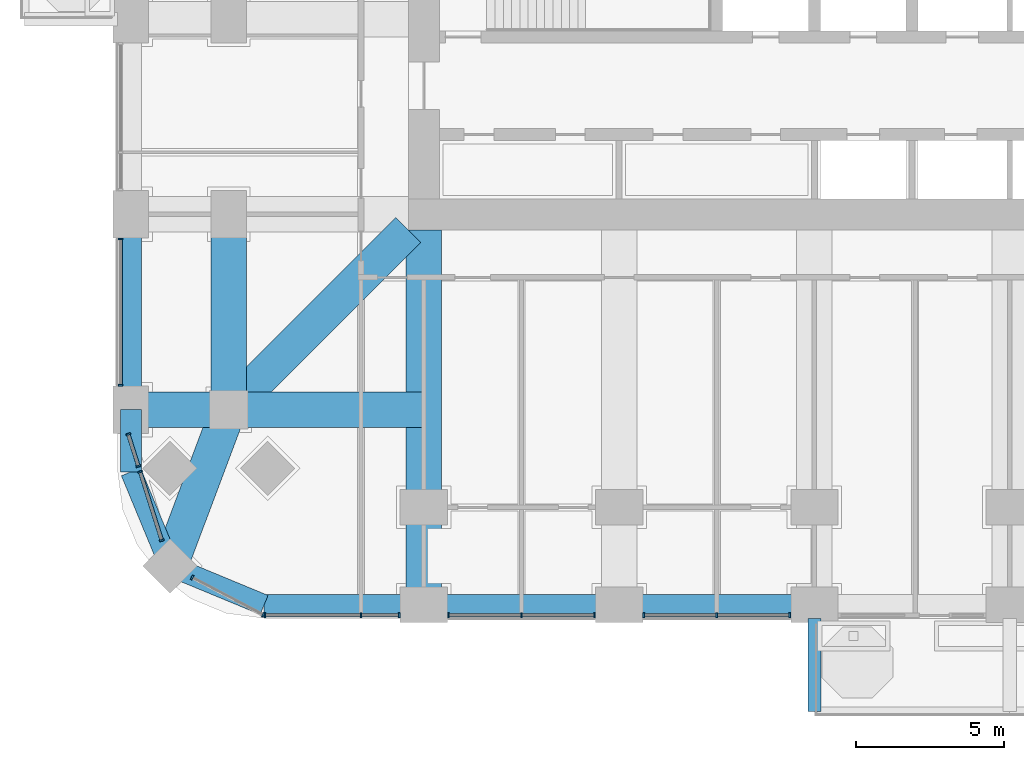
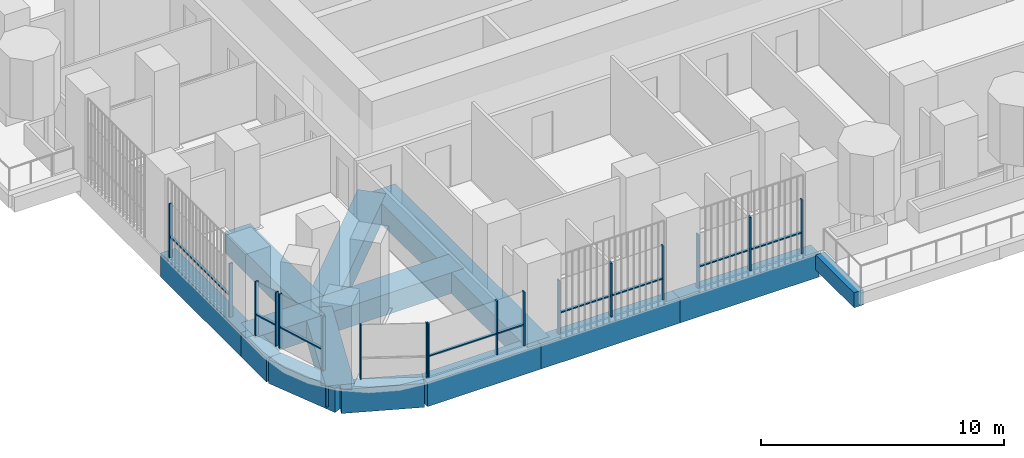
# One storey, part 2 of 22: 26 members, 14 beams, 7 elements without a shape of their own.
"""IFC4 building model written with IfcOpenShell, lengths in metres."""

from ifc_helpers import new_model, si_unit, direction, frame, origin, origin_2d, place, context, subcontext, project, spatial, rectangle, extrude, material, material_profile, profile_set, type_object, element, aggregate, save


model = new_model("IFC4")

# Units and contexts
model_context = context("Model", 3, precision=1e-05, world=origin(), true_north=direction((0.0, 1.0)))
body_context = subcontext(model_context, "Body", "Model", "MODEL_VIEW")
ifc_project = project(units=[si_unit("LENGTHUNIT", "METRE"), si_unit("AREAUNIT", "SQUARE_METRE"), si_unit("VOLUMEUNIT", "CUBIC_METRE"), si_unit("PLANEANGLEUNIT", "RADIAN"), si_unit("MASSUNIT", "GRAM", prefix="KILO")], contexts=[model_context])

# Site, building, storey
site_placement = place(None, origin())
site = spatial("IfcSite", under=ifc_project, at=site_placement, CompositionType="ELEMENT")
building_placement = place(site_placement, origin())
building = spatial("IfcBuilding", under=site, at=building_placement, Name="Cobogo Forest Laboratory Tower", CompositionType="ELEMENT")
storey_placement = place(building_placement, frame((0.0, 0.0, 94.800048828125)))
storey = spatial("IfcBuildingStorey", under=building, at=storey_placement, Name="L21", CompositionType="ELEMENT", Elevation=94.800048828125)

# Beams
ifc_material_1 = material(Name="Concrete HA-40 (C40/50)", Category="concrete")
ifc_material_profile_1 = material_profile(ifc_material_1, rectangle(XDim=0.449951171875, YDim=0.75, at=origin_2d()), Name="RC 450x750")
ifc_profile_set_1 = profile_set([ifc_material_profile_1], Name="Concrete HA-40 (C40/50)")
beam_type_1 = type_object("IfcBeamType", Name="Balcony cantilever beam 450x750", PredefinedType="BEAM", material=ifc_profile_set_1)
beam_1_placement = place(storey_placement, frame((26.39990234375, -0.449951171875, -0.625), z_axis=(0.0, -1.0, 0.0), x_axis=(1.0, 0.0, 0.0)))
element("IfcBeam", 1, at=beam_1_placement, inside=storey, type_object=beam_type_1, Name="CB1 BAL-S1-C1 L21", PredefinedType="BEAM", context=body_context, shape_type="SweptSolid", body=[
    extrude(rectangle(XDim=0.449951171875, YDim=0.75, at=origin_2d()), origin(), (0.0, 0.0, 1.0), 3.150146484375),
])
ifc_material_profile_2 = material_profile(ifc_material_1, rectangle(XDim=1.199951171875, YDim=1.050048828125, at=origin_2d()), Name="RC 1200x1050")
ifc_profile_set_2 = profile_set([ifc_material_profile_2], Name="Concrete HA-40 (C40/50)")
beam_type_2 = type_object("IfcBeamType", Name="Laboratory floor wide beam 1200x1050", PredefinedType="BEAM", material=ifc_profile_set_2)
beam_2_placement = place(storey_placement, frame((13.199951171875, 12.675048828125, -0.824951171875), z_axis=(0.0, -1.0, 0.0), x_axis=(1.0, 0.0, 0.0)))
element("IfcBeam", 2, at=beam_2_placement, inside=storey, type_object=beam_type_2, Name="RB1 R-3-S L21", PredefinedType="BEAM", context=body_context, shape_type="SweptSolid", body=[
    extrude(rectangle(XDim=1.199951171875, YDim=1.050048828125, at=origin_2d()), origin(), (0.0, 0.0, 1.0), 12.675048828125),
])
beam_3_placement = place(storey_placement, frame((6.60009765625, 6.60009765625, -0.824951171875), z_axis=(0.0, 1.0, 0.0), x_axis=(-1.0, 0.0, 0.0)))
element("IfcBeam", 3, at=beam_3_placement, inside=storey, type_object=beam_type_2, Name="RB1 G-SW-XC L21", PredefinedType="BEAM", context=body_context, shape_type="SweptSolid", body=[
    extrude(rectangle(XDim=1.199951171875, YDim=1.050048828125, at=origin_2d()), origin(), (0.0, 0.0, 1.0), 6.599853515625),
])
beam_4_placement = place(storey_placement, frame((3.300048828125, 6.60009765625, -0.824951171875), z_axis=(1.0, 0.0, 0.0), x_axis=(0.0, 1.0, 0.0)))
element("IfcBeam", 4, at=beam_4_placement, inside=storey, type_object=beam_type_2, Name="RB1 G-SW-YF L21", PredefinedType="BEAM", context=body_context, shape_type="SweptSolid", body=[
    extrude(rectangle(XDim=1.199951171875, YDim=1.050048828125, at=origin_2d()), origin(), (0.0, 0.0, 1.0), 3.300048828125),
])
beam_5_placement = place(storey_placement, frame((6.60009765625, 6.60009765625, -0.824951171875), z_axis=(1.0, 0.0, 0.0), x_axis=(0.0, 1.0, 0.0)))
element("IfcBeam", 5, at=beam_5_placement, inside=storey, type_object=beam_type_2, Name="RB1 G-SW-YC L21", PredefinedType="BEAM", context=body_context, shape_type="SweptSolid", body=[
    extrude(rectangle(XDim=1.199951171875, YDim=1.050048828125, at=origin_2d()), origin(), (0.0, 0.0, 1.0), 6.599853515625),
])
beam_6_placement = place(storey_placement, frame((4.617919921875, 1.318115234375, -0.824951171875), z_axis=(0.351346325373, 0.936245565889, 0.0), x_axis=(-0.936245565889, 0.351346325373, 0.0)))
element("IfcBeam", 6, at=beam_6_placement, inside=storey, type_object=beam_type_2, Name="RB1 G-SW-D1 L21", PredefinedType="BEAM", context=body_context, shape_type="SweptSolid", body=[
    extrude(rectangle(XDim=1.199951171875, YDim=1.050048828125, at=origin_2d()), origin(), (0.0, 0.0, 1.0), 5.6416015625),
])
beam_7_placement = place(storey_placement, frame((6.60009765625, 6.60009765625, -0.824951171875), z_axis=(0.707106781187, 0.707106781187, 0.0), x_axis=(-0.707106781187, 0.707106781187, 0.0)))
element("IfcBeam", 7, at=beam_7_placement, inside=storey, type_object=beam_type_2, Name="RB1 G-SW-D2 L21", PredefinedType="BEAM", context=body_context, shape_type="SweptSolid", body=[
    extrude(rectangle(XDim=1.199951171875, YDim=1.050048828125, at=origin_2d()), origin(), (0.0, 0.0, 1.0), 8.59130859375),
])

# Curtain wall, members
ifc_material_2 = material(Name="Aluminium curtain wall", Category="aluminium")
curtain_wall_type = type_object("IfcCurtainWallType", Name="CW-1 unitised curtain wall, clear glazing, laboratory floors zones A and B", PredefinedType="USERDEFINED", material=ifc_material_2)
curtain_wall_1_placement = place(storey_placement, origin())
curtain_wall_1 = element("IfcCurtainWall", 8, at=curtain_wall_1_placement, inside=storey, type_object=curtain_wall_type, Name="Curtain wall 01 L21", ObjectType="UNITISED CURTAIN WALL", PredefinedType="USERDEFINED")
ifc_material_3 = material(Name="Aluminium mullion", Category="aluminium")
ifc_material_profile_3 = material_profile(ifc_material_3, rectangle(XDim=0.06005859375, YDim=0.159912109375, at=origin_2d()), Name="AL 60x160")
ifc_profile_set_3 = profile_set([ifc_material_profile_3], Name="Aluminium mullion")
member_type_1 = type_object("IfcMemberType", Name="MU-1 aluminium mullion 60x160", PredefinedType="MULLION", material=ifc_profile_set_3)
member_1_placement = place(storey_placement, frame((7.830078125, -0.35009765625, 0.0), z_axis=(0.0, 0.0, 1.0), x_axis=(1.0, 0.0, 0.0)))
member_1 = element("IfcMember", 9, at=member_1_placement, type_object=member_type_1, Name="CW-1 mullion 1", PredefinedType="MULLION", context=body_context, shape_type="SweptSolid", body=[
    extrude(rectangle(XDim=0.06005859375, YDim=0.159912109375, at=origin_2d()), origin(), (0.0, 0.0, 1.0), 2.699951171875),
])
member_2_placement = place(storey_placement, frame((11.074951171875, -0.35009765625, 0.0), z_axis=(0.0, 0.0, 1.0), x_axis=(1.0, 0.0, 0.0)))
member_2 = element("IfcMember", 10, at=member_2_placement, type_object=member_type_1, Name="CW-1 mullion 2", PredefinedType="MULLION", context=body_context, shape_type="SweptSolid", body=[
    extrude(rectangle(XDim=0.06005859375, YDim=0.159912109375, at=origin_2d()), origin(), (0.0, 0.0, 1.0), 2.699951171875),
])
member_3_placement = place(storey_placement, frame((12.3701171875, -0.35009765625, 0.0), z_axis=(0.0, 0.0, 1.0), x_axis=(1.0, 0.0, 0.0)))
member_3 = element("IfcMember", 11, at=member_3_placement, type_object=member_type_1, Name="CW-1 mullion 3", PredefinedType="MULLION", context=body_context, shape_type="SweptSolid", body=[
    extrude(rectangle(XDim=0.06005859375, YDim=0.159912109375, at=origin_2d()), origin(), (0.0, 0.0, 1.0), 2.699951171875),
])

curtain_wall_2_placement = place(storey_placement, origin())
curtain_wall_2 = element("IfcCurtainWall", 12, at=curtain_wall_2_placement, inside=storey, type_object=curtain_wall_type, Name="Curtain wall 02 L21", ObjectType="UNITISED CURTAIN WALL", PredefinedType="USERDEFINED")
member_4_placement = place(storey_placement, frame((14.030029296875, -0.35009765625, 0.0), z_axis=(0.0, 0.0, 1.0), x_axis=(1.0, 0.0, 0.0)))
member_4 = element("IfcMember", 13, at=member_4_placement, type_object=member_type_1, Name="CW-1 mullion 1", PredefinedType="MULLION", context=body_context, shape_type="SweptSolid", body=[
    extrude(rectangle(XDim=0.06005859375, YDim=0.159912109375, at=origin_2d()), origin(), (0.0, 0.0, 1.0), 2.699951171875),
])
member_5_placement = place(storey_placement, frame((16.5, -0.35009765625, 0.0), z_axis=(0.0, 0.0, 1.0), x_axis=(1.0, 0.0, 0.0)))
member_5 = element("IfcMember", 14, at=member_5_placement, type_object=member_type_1, Name="CW-1 mullion 2", PredefinedType="MULLION", context=body_context, shape_type="SweptSolid", body=[
    extrude(rectangle(XDim=0.06005859375, YDim=0.159912109375, at=origin_2d()), origin(), (0.0, 0.0, 1.0), 2.699951171875),
])
member_6_placement = place(storey_placement, frame((18.969970703125, -0.35009765625, 0.0), z_axis=(0.0, 0.0, 1.0), x_axis=(1.0, 0.0, 0.0)))
member_6 = element("IfcMember", 15, at=member_6_placement, type_object=member_type_1, Name="CW-1 mullion 3", PredefinedType="MULLION", context=body_context, shape_type="SweptSolid", body=[
    extrude(rectangle(XDim=0.06005859375, YDim=0.159912109375, at=origin_2d()), origin(), (0.0, 0.0, 1.0), 2.699951171875),
])

curtain_wall_3_placement = place(storey_placement, origin())
curtain_wall_3 = element("IfcCurtainWall", 16, at=curtain_wall_3_placement, inside=storey, type_object=curtain_wall_type, Name="Curtain wall 03 L21", ObjectType="UNITISED CURTAIN WALL", PredefinedType="USERDEFINED")
member_7_placement = place(storey_placement, frame((20.6298828125, -0.35009765625, 0.0), z_axis=(0.0, 0.0, 1.0), x_axis=(1.0, 0.0, 0.0)))
member_7 = element("IfcMember", 17, at=member_7_placement, type_object=member_type_1, Name="CW-1 mullion 1", PredefinedType="MULLION", context=body_context, shape_type="SweptSolid", body=[
    extrude(rectangle(XDim=0.06005859375, YDim=0.159912109375, at=origin_2d()), origin(), (0.0, 0.0, 1.0), 2.699951171875),
])
member_8_placement = place(storey_placement, frame((23.10009765625, -0.35009765625, 0.0), z_axis=(0.0, 0.0, 1.0), x_axis=(1.0, 0.0, 0.0)))
member_8 = element("IfcMember", 18, at=member_8_placement, type_object=member_type_1, Name="CW-1 mullion 2", PredefinedType="MULLION", context=body_context, shape_type="SweptSolid", body=[
    extrude(rectangle(XDim=0.06005859375, YDim=0.159912109375, at=origin_2d()), origin(), (0.0, 0.0, 1.0), 2.699951171875),
])
member_9_placement = place(storey_placement, frame((25.570068359375, -0.35009765625, 0.0), z_axis=(0.0, 0.0, 1.0), x_axis=(1.0, 0.0, 0.0)))
member_9 = element("IfcMember", 19, at=member_9_placement, type_object=member_type_1, Name="CW-1 mullion 3", PredefinedType="MULLION", context=body_context, shape_type="SweptSolid", body=[
    extrude(rectangle(XDim=0.06005859375, YDim=0.159912109375, at=origin_2d()), origin(), (0.0, 0.0, 1.0), 2.699951171875),
])

curtain_wall_4_placement = place(storey_placement, origin())
curtain_wall_4 = element("IfcCurtainWall", 20, at=curtain_wall_4_placement, inside=storey, type_object=curtain_wall_type, Name="Curtain wall 31 L21", ObjectType="UNITISED CURTAIN WALL", PredefinedType="USERDEFINED")
member_10_placement = place(storey_placement, frame((2.949951171875, 12.3701171875, 0.0), z_axis=(0.0, 0.0, 1.0), x_axis=(0.0, -1.0, 0.0)))
member_10 = element("IfcMember", 21, at=member_10_placement, type_object=member_type_1, Name="CW-1 mullion 1", PredefinedType="MULLION", context=body_context, shape_type="SweptSolid", body=[
    extrude(rectangle(XDim=0.06005859375, YDim=0.159912109375, at=origin_2d()), origin(), (0.0, 0.0, 1.0), 2.699951171875),
])
member_11_placement = place(storey_placement, frame((2.949951171875, 7.429931640625, 0.0), z_axis=(0.0, 0.0, 1.0), x_axis=(0.0, -1.0, 0.0)))
member_11 = element("IfcMember", 22, at=member_11_placement, type_object=member_type_1, Name="CW-1 mullion 2", PredefinedType="MULLION", context=body_context, shape_type="SweptSolid", body=[
    extrude(rectangle(XDim=0.06005859375, YDim=0.159912109375, at=origin_2d()), origin(), (0.0, 0.0, 1.0), 2.699951171875),
])

curtain_wall_5_placement = place(storey_placement, origin())
curtain_wall_5 = element("IfcCurtainWall", 23, at=curtain_wall_5_placement, inside=storey, type_object=curtain_wall_type, Name="Curtain wall 32 L21", ObjectType="UNITISED CURTAIN WALL", PredefinedType="USERDEFINED")
member_12_placement = place(storey_placement, frame((3.211669921875, 5.771484375, 0.0), z_axis=(0.0, 0.0, 1.0), x_axis=(0.301135667865, -0.953581307252, 0.0)))
member_12 = element("IfcMember", 24, at=member_12_placement, type_object=member_type_1, Name="CW-1 mullion 1", PredefinedType="MULLION", context=body_context, shape_type="SweptSolid", body=[
    extrude(rectangle(XDim=0.06005859375, YDim=0.159912109375, at=origin_2d()), origin(), (0.0, 0.0, 1.0), 2.699951171875),
])
member_13_placement = place(storey_placement, frame((3.55224609375, 4.69287109375, 0.0), z_axis=(0.0, 0.0, 1.0), x_axis=(0.301135667865, -0.953581307252, 0.0)))
member_13 = element("IfcMember", 25, at=member_13_placement, type_object=member_type_1, Name="CW-1 mullion 2", PredefinedType="MULLION", context=body_context, shape_type="SweptSolid", body=[
    extrude(rectangle(XDim=0.06005859375, YDim=0.159912109375, at=origin_2d()), origin(), (0.0, 0.0, 1.0), 2.699951171875),
])

curtain_wall_6_placement = place(storey_placement, origin())
curtain_wall_6 = element("IfcCurtainWall", 26, at=curtain_wall_6_placement, inside=storey, type_object=curtain_wall_type, Name="Curtain wall 33 L21", ObjectType="UNITISED CURTAIN WALL", PredefinedType="USERDEFINED")
member_14_placement = place(storey_placement, frame((3.613037109375, 4.500244140625, 0.0), z_axis=(0.0, 0.0, 1.0), x_axis=(0.301135291996, -0.953581425949, 0.0)))
member_14 = element("IfcMember", 27, at=member_14_placement, type_object=member_type_1, Name="CW-1 mullion 1", PredefinedType="MULLION", context=body_context, shape_type="SweptSolid", body=[
    extrude(rectangle(XDim=0.06005859375, YDim=0.159912109375, at=origin_2d()), origin(), (0.0, 0.0, 1.0), 2.699951171875),
])
member_15_placement = place(storey_placement, frame((4.34423828125, 2.18505859375, 0.0), z_axis=(0.0, 0.0, 1.0), x_axis=(0.301135291996, -0.953581425949, 0.0)))
member_15 = element("IfcMember", 28, at=member_15_placement, type_object=member_type_1, Name="CW-1 mullion 2", PredefinedType="MULLION", context=body_context, shape_type="SweptSolid", body=[
    extrude(rectangle(XDim=0.06005859375, YDim=0.159912109375, at=origin_2d()), origin(), (0.0, 0.0, 1.0), 2.699951171875),
])

curtain_wall_7_placement = place(storey_placement, origin())
curtain_wall_7 = element("IfcCurtainWall", 29, at=curtain_wall_7_placement, inside=storey, type_object=curtain_wall_type, Name="Curtain wall 34 L21", ObjectType="UNITISED CURTAIN WALL", PredefinedType="USERDEFINED")
member_16_placement = place(storey_placement, frame((5.368408203125, 0.9248046875, 0.0), z_axis=(0.0, 0.0, 1.0), x_axis=(0.885686547075, -0.464283685186, 0.0)))
member_16 = element("IfcMember", 30, at=member_16_placement, type_object=member_type_1, Name="CW-1 mullion 1", PredefinedType="MULLION", context=body_context, shape_type="SweptSolid", body=[
    extrude(rectangle(XDim=0.06005859375, YDim=0.159912109375, at=origin_2d()), origin(), (0.0, 0.0, 1.0), 2.699951171875),
])
member_17_placement = place(storey_placement, frame((7.7734375, -0.336181640625, 0.0), z_axis=(0.0, 0.0, 1.0), x_axis=(0.885686547075, -0.464283685186, 0.0)))
member_17 = element("IfcMember", 31, at=member_17_placement, type_object=member_type_1, Name="CW-1 mullion 2", PredefinedType="MULLION", context=body_context, shape_type="SweptSolid", body=[
    extrude(rectangle(XDim=0.06005859375, YDim=0.159912109375, at=origin_2d()), origin(), (0.0, 0.0, 1.0), 2.699951171875),
])
aggregate(curtain_wall_7, [member_16, member_17])

# Beams
ifc_material_profile_4 = material_profile(ifc_material_1, rectangle(XDim=0.699951171875, YDim=1.199951171875, at=origin_2d()), Name="RC 700x1200")
ifc_profile_set_4 = profile_set([ifc_material_profile_4], Name="Concrete HA-40 (C40/50)")
beam_type_3 = type_object("IfcBeamType", Name="Perimeter edge beam 700x1200", PredefinedType="BEAM", material=ifc_profile_set_4)
beam_8_placement = place(storey_placement, frame((13.199951171875, 0.0, -0.900146484375), z_axis=(1.0, 0.0, 0.0), x_axis=(0.0, 1.0, 0.0)))
element("IfcBeam", 32, at=beam_8_placement, inside=storey, type_object=beam_type_3, Name="EB1 E-S1 L21", PredefinedType="BEAM", context=body_context, shape_type="SweptSolid", body=[
    extrude(rectangle(XDim=0.699951171875, YDim=1.199951171875, at=origin_2d()), origin(), (0.0, 0.0, 1.0), 6.60009765625),
])
for number, where, z_axis, x_axis, name in (
    (33, (19.800048828125, 0.0, -0.900146484375), (1.0, 0.0, 0.0), (0.0, 1.0, 0.0), "EB1 E-S2 L21"),
    (34, (3.300048828125, 6.60009765625, -0.900146484375), (0.0, 1.0, 0.0), (-1.0, 0.0, 0.0), "EB1 E-W1 L21"),
):
    element("IfcBeam", number, at=place(storey_placement, frame(where, z_axis=z_axis, x_axis=x_axis)), inside=storey, type_object=beam_type_3, Name=name, PredefinedType="BEAM", context=body_context, shape_type="SweptSolid", body=[
        extrude(rectangle(XDim=0.699951171875, YDim=1.199951171875, at=origin_2d()), origin(), (0.0, 0.0, 1.0), 6.599853515625),
    ])
beam_9_placement = place(storey_placement, frame((13.199951171875, 0.0, -0.900146484375), z_axis=(-1.0, 0.0, 0.0), x_axis=(0.0, -1.0, 0.0)))
element("IfcBeam", 35, at=beam_9_placement, inside=storey, type_object=beam_type_3, Name="EB1 E-SWS1 L21", PredefinedType="BEAM", context=body_context, shape_type="SweptSolid", body=[
    extrude(rectangle(XDim=0.699951171875, YDim=1.199951171875, at=origin_2d()), origin(), (0.0, 0.0, 1.0), 5.39990234375),
])
beam_10_placement = place(storey_placement, frame((7.800048828125, 0.0, -0.900146484375), z_axis=(-0.923876013265, 0.382691928466, 0.0), x_axis=(-0.382691928466, -0.923876013265, 0.0)))
element("IfcBeam", 36, at=beam_10_placement, inside=storey, type_object=beam_type_3, Name="EB1 E-SWS2 L21", PredefinedType="BEAM", context=body_context, shape_type="SweptSolid", body=[
    extrude(rectangle(XDim=0.699951171875, YDim=1.199951171875, at=origin_2d()), origin(), (0.0, 0.0, 1.0), 3.4443359375),
])
beam_11_placement = place(storey_placement, frame((3.300048828125, 6.60009765625, -0.900146484375), z_axis=(0.0, -1.0, 0.0), x_axis=(1.0, 0.0, 0.0)))
element("IfcBeam", 37, at=beam_11_placement, inside=storey, type_object=beam_type_3, Name="EB1 E-SWW1 L21", PredefinedType="BEAM", context=body_context, shape_type="SweptSolid", body=[
    extrude(rectangle(XDim=0.699951171875, YDim=1.199951171875, at=origin_2d()), origin(), (0.0, 0.0, 1.0), 2.10009765625),
])
beam_12_placement = place(storey_placement, frame((3.300048828125, 4.5, -0.900146484375), z_axis=(0.382656484822, -0.923890694089, 0.0), x_axis=(0.923890694089, 0.382656484822, 0.0)))
element("IfcBeam", 38, at=beam_12_placement, inside=storey, type_object=beam_type_3, Name="EB1 E-SWW2 L21", PredefinedType="BEAM", context=body_context, shape_type="SweptSolid", body=[
    extrude(rectangle(XDim=0.699951171875, YDim=1.199951171875, at=origin_2d()), origin(), (0.0, 0.0, 1.0), 3.444091796875),
])

# Member
ifc_material_4 = material(Name="Aluminium transom", Category="aluminium")
ifc_material_profile_5 = material_profile(ifc_material_4, rectangle(XDim=0.1201171875, YDim=0.06005859375, at=origin_2d()), Name="AL 60x120")
ifc_profile_set_5 = profile_set([ifc_material_profile_5], Name="Aluminium transom")
member_type_2 = type_object("IfcMemberType", Name="TR-1 aluminium transom 60x120", PredefinedType="USERDEFINED", material=ifc_profile_set_5)
member_18_placement = place(storey_placement, frame((7.860107421875, -0.35009765625, 1.050048828125), z_axis=(1.0, 0.0, 0.0), x_axis=(0.0, 1.0, 0.0)))
member_18 = element("IfcMember", 39, at=member_18_placement, type_object=member_type_2, Name="CW-1 transom 1.1", ObjectType="TRANSOM", PredefinedType="USERDEFINED", context=body_context, shape_type="SweptSolid", body=[
    extrude(rectangle(XDim=0.1201171875, YDim=0.06005859375, at=origin_2d()), origin(), (0.0, 0.0, 1.0), 3.184814453125),
])

member_19_placement = place(storey_placement, frame((11.10498046875, -0.35009765625, 1.050048828125), z_axis=(1.0, 0.0, 0.0), x_axis=(0.0, 1.0, 0.0)))
member_19 = element("IfcMember", 40, at=member_19_placement, type_object=member_type_2, Name="CW-1 transom 2.1", ObjectType="TRANSOM", PredefinedType="USERDEFINED", context=body_context, shape_type="SweptSolid", body=[
    extrude(rectangle(XDim=0.1201171875, YDim=0.06005859375, at=origin_2d()), origin(), (0.0, 0.0, 1.0), 1.235107421875),
])

aggregate(curtain_wall_1, [member_1, member_2, member_3, member_18, member_19])

member_20_placement = place(storey_placement, frame((14.06005859375, -0.35009765625, 1.050048828125), z_axis=(1.0, 0.0, 0.0), x_axis=(0.0, 1.0, 0.0)))
member_20 = element("IfcMember", 41, at=member_20_placement, type_object=member_type_2, Name="CW-1 transom 1.1", ObjectType="TRANSOM", PredefinedType="USERDEFINED", context=body_context, shape_type="SweptSolid", body=[
    extrude(rectangle(XDim=0.1201171875, YDim=0.06005859375, at=origin_2d()), origin(), (0.0, 0.0, 1.0), 2.409912109375),
])

member_21_placement = place(storey_placement, frame((16.530029296875, -0.35009765625, 1.050048828125), z_axis=(1.0, 0.0, 0.0), x_axis=(0.0, 1.0, 0.0)))
member_21 = element("IfcMember", 42, at=member_21_placement, type_object=member_type_2, Name="CW-1 transom 2.1", ObjectType="TRANSOM", PredefinedType="USERDEFINED", context=body_context, shape_type="SweptSolid", body=[
    extrude(rectangle(XDim=0.1201171875, YDim=0.06005859375, at=origin_2d()), origin(), (0.0, 0.0, 1.0), 2.409912109375),
])

aggregate(curtain_wall_2, [member_4, member_5, member_6, member_20, member_21])

member_22_placement = place(storey_placement, frame((20.659912109375, -0.35009765625, 1.050048828125), z_axis=(1.0, 0.0, 0.0), x_axis=(0.0, 1.0, 0.0)))
member_22 = element("IfcMember", 43, at=member_22_placement, type_object=member_type_2, Name="CW-1 transom 1.1", ObjectType="TRANSOM", PredefinedType="USERDEFINED", context=body_context, shape_type="SweptSolid", body=[
    extrude(rectangle(XDim=0.1201171875, YDim=0.06005859375, at=origin_2d()), origin(), (0.0, 0.0, 1.0), 2.41015625),
])

member_23_placement = place(storey_placement, frame((23.1298828125, -0.35009765625, 1.050048828125), z_axis=(1.0, 0.0, 0.0), x_axis=(0.0, 1.0, 0.0)))
member_23 = element("IfcMember", 44, at=member_23_placement, type_object=member_type_2, Name="CW-1 transom 2.1", ObjectType="TRANSOM", PredefinedType="USERDEFINED", context=body_context, shape_type="SweptSolid", body=[
    extrude(rectangle(XDim=0.1201171875, YDim=0.06005859375, at=origin_2d()), origin(), (0.0, 0.0, 1.0), 2.41015625),
])

aggregate(curtain_wall_3, [member_7, member_8, member_9, member_22, member_23])

member_24_placement = place(storey_placement, frame((2.949951171875, 12.340087890625, 1.050048828125), z_axis=(0.0, -1.0, 0.0), x_axis=(1.0, 0.0, 0.0)))
member_24 = element("IfcMember", 45, at=member_24_placement, type_object=member_type_2, Name="CW-1 transom 1.1", ObjectType="TRANSOM", PredefinedType="USERDEFINED", context=body_context, shape_type="SweptSolid", body=[
    extrude(rectangle(XDim=0.1201171875, YDim=0.06005859375, at=origin_2d()), origin(), (0.0, 0.0, 1.0), 4.880126953125),
])

aggregate(curtain_wall_4, [member_10, member_11, member_24])

member_25_placement = place(storey_placement, frame((3.220703125, 5.74267578125, 1.050048828125), z_axis=(0.301207754852, -0.953558539586, 0.0), x_axis=(0.953558539586, 0.301207754852, 0.0)))
member_25 = element("IfcMember", 46, at=member_25_placement, type_object=member_type_2, Name="CW-1 transom 1.1", ObjectType="TRANSOM", PredefinedType="USERDEFINED", context=body_context, shape_type="SweptSolid", body=[
    extrude(rectangle(XDim=0.1201171875, YDim=0.06005859375, at=origin_2d()), origin(), (0.0, 0.0, 1.0), 1.07080078125),
])

aggregate(curtain_wall_5, [member_12, member_13, member_25])

member_26_placement = place(storey_placement, frame((3.6220703125, 4.4716796875, 1.050048828125), z_axis=(0.301156039198, -0.953574873859, 0.0), x_axis=(0.953574873859, 0.301156039198, 0.0)))
member_26 = element("IfcMember", 47, at=member_26_placement, type_object=member_type_2, Name="CW-1 transom 1.1", ObjectType="TRANSOM", PredefinedType="USERDEFINED", context=body_context, shape_type="SweptSolid", body=[
    extrude(rectangle(XDim=0.1201171875, YDim=0.06005859375, at=origin_2d()), origin(), (0.0, 0.0, 1.0), 2.367919921875),
])

aggregate(curtain_wall_6, [member_14, member_15, member_26])

save(model, "model.ifc")
